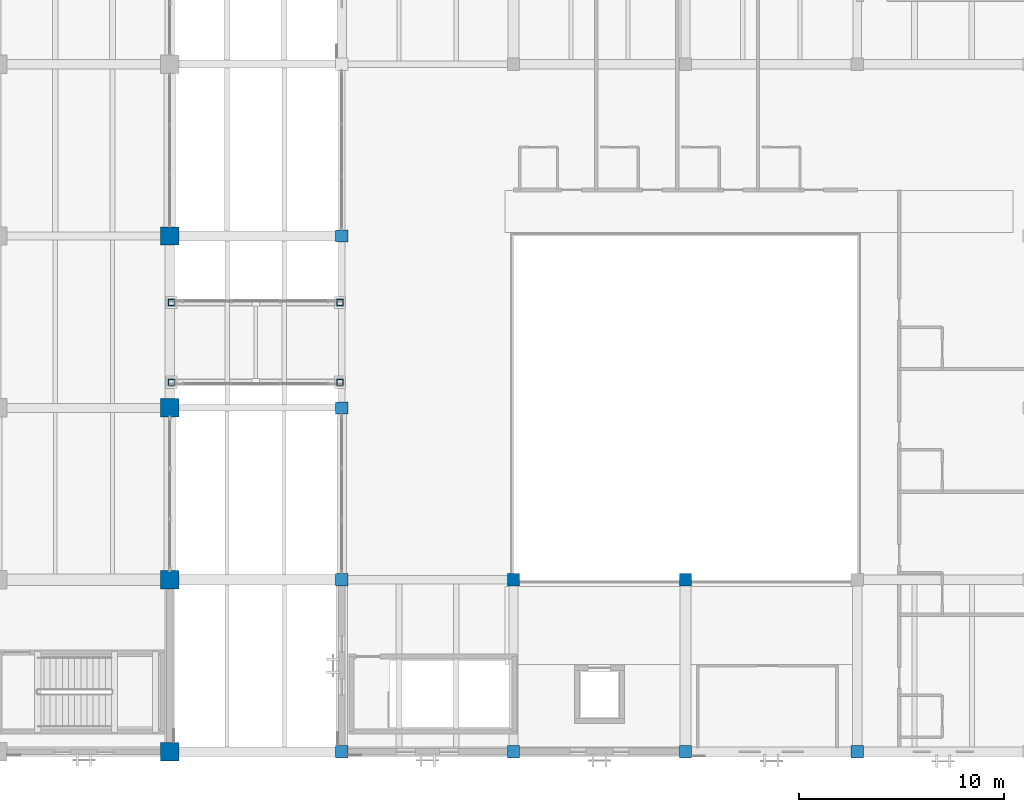
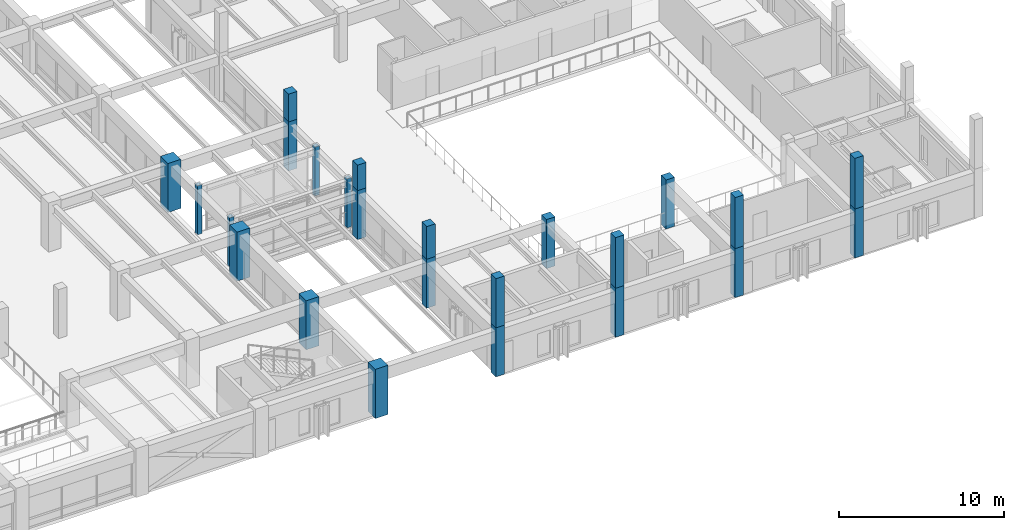
# One storey, part 3 of 118: 24 columns.
"""IFC4 building model written with IfcOpenShell, lengths in metres."""

from ifc_helpers import new_model, si_unit, direction, frame, origin, origin_2d, place, context, subcontext, project, spatial, rectangle, hollow_rectangle, extrude, material, material_profile, profile_set, type_object, element, save


model = new_model("IFC4")

# Units and contexts
model_context = context("Model", 3, precision=1e-05, world=origin(), true_north=direction((0.0, 1.0)))
body_context = subcontext(model_context, "Body", "Model", "MODEL_VIEW")
ifc_project = project(units=[si_unit("LENGTHUNIT", "METRE"), si_unit("AREAUNIT", "SQUARE_METRE"), si_unit("VOLUMEUNIT", "CUBIC_METRE"), si_unit("PLANEANGLEUNIT", "RADIAN"), si_unit("MASSUNIT", "GRAM", prefix="KILO")], contexts=[model_context])

# Site, building, storey
site_placement = place(None, origin())
site = spatial("IfcSite", under=ifc_project, at=site_placement, CompositionType="ELEMENT")
building_placement = place(site_placement, origin())
building = spatial("IfcBuilding", under=site, at=building_placement, Name="Cumbredor Promenade Congress Hotel", CompositionType="ELEMENT")
storey_placement = place(building_placement, frame((0.0, 0.0, 3.919921875)))
storey = spatial("IfcBuildingStorey", under=building, at=storey_placement, Name="L01", CompositionType="ELEMENT", Elevation=3.919921875)

# Columns
ifc_material_1 = material(Name="Concrete C40/50", Category="concrete")
ifc_material_profile_1 = material_profile(ifc_material_1, rectangle(XDim=0.60009765625, YDim=0.60009765625, at=origin_2d()), Name="RC 600x600")
ifc_profile_set_1 = profile_set([ifc_material_profile_1], Name="Concrete C40/50")
column_type_1 = type_object("IfcColumnType", Name="COL-RC-600", PredefinedType="COLUMN", material=ifc_profile_set_1)
for number, where, z_axis, x_axis, name in (
    (1, (75.60009765625, 8.39990234375, 0.0), (0.0, 0.0, 1.0), (1.0, 0.0, 0.0), "L01 Structural Column 091"),
    (2, (75.60009765625, 16.800048828125, 0.0), (0.0, 0.0, 1.0), (1.0, 0.0, 0.0), "L01 Structural Column 092"),
    (3, (75.60009765625, 25.199951171875, 0.0), (0.0, 0.0, 1.0), (1.0, 0.0, 0.0), "L01 Structural Column 093"),
    (4, (75.60009765625, 33.60009765625, 0.0), (0.0, 0.0, 1.0), (1.0, 0.0, 0.0), "L01 Structural Column 094"),
    (5, (84.0, 8.39990234375, 0.0), (0.0, 0.0, 1.0), (1.0, 0.0, 0.0), "L01 Structural Column 102"),
    (6, (84.0, 16.800048828125, 0.0), (0.0, 0.0, 1.0), (1.0, 0.0, 0.0), "L01 Structural Column 103"),
    (7, (92.39990234375, 8.39990234375, 0.0), (0.0, 0.0, 1.0), (1.0, 0.0, 0.0), "L01 Structural Column 111"),
    (8, (92.39990234375, 16.800048828125, 0.0), (0.0, 0.0, 1.0), (1.0, 0.0, 0.0), "L01 Structural Column 112"),
    (9, (100.800048828125, 8.39990234375, 0.0), (0.0, 0.0, 1.0), (1.0, 0.0, 0.0), "L01 Structural Column 120"),
):
    element("IfcColumn", number, at=place(storey_placement, frame(where, z_axis=z_axis, x_axis=x_axis)), inside=storey, type_object=column_type_1, Name=name, PredefinedType="COLUMN", context=body_context, shape_type="SweptSolid", body=[
        extrude(rectangle(XDim=0.60009765625, YDim=0.60009765625, at=origin_2d()), origin(), (0.0, 0.0, 1.0), 3.64013671875),
    ])
column_1_placement = place(storey_placement, frame((75.60009765625, 8.39990234375, 3.64013671875), z_axis=(0.0, 0.0, 1.0), x_axis=(1.0, 0.0, 0.0)))
element("IfcColumn", 10, at=column_1_placement, inside=storey, type_object=column_type_1, Name="Thermal Spa and Hydrotherapy Pavilion Clerestory Column Extension 01", PredefinedType="COLUMN", context=body_context, shape_type="SweptSolid", body=[
    extrude(rectangle(XDim=0.60009765625, YDim=0.60009765625, at=origin_2d()), origin(), (0.0, 0.0, 1.0), 3.650146484375),
])
column_2_placement = place(storey_placement, frame((75.60009765625, 16.800048828125, 3.64013671875), z_axis=(0.0, 0.0, 1.0), x_axis=(1.0, 0.0, 0.0)))
element("IfcColumn", 11, at=column_2_placement, inside=storey, type_object=column_type_1, Name="Thermal Spa and Hydrotherapy Pavilion Clerestory Column Extension 02", PredefinedType="COLUMN", context=body_context, shape_type="SweptSolid", body=[
    extrude(rectangle(XDim=0.60009765625, YDim=0.60009765625, at=origin_2d()), origin(), (0.0, 0.0, 1.0), 2.41943359375),
])
column_3_placement = place(storey_placement, frame((75.60009765625, 25.199951171875, 3.64013671875), z_axis=(0.0, 0.0, 1.0), x_axis=(1.0, 0.0, 0.0)))
element("IfcColumn", 12, at=column_3_placement, inside=storey, type_object=column_type_1, Name="Thermal Spa and Hydrotherapy Pavilion Clerestory Column Extension 03", PredefinedType="COLUMN", context=body_context, shape_type="SweptSolid", body=[
    extrude(rectangle(XDim=0.60009765625, YDim=0.60009765625, at=origin_2d()), origin(), (0.0, 0.0, 1.0), 1.891845703125),
])
column_4_placement = place(storey_placement, frame((75.60009765625, 33.60009765625, 3.64013671875), z_axis=(0.0, 0.0, 1.0), x_axis=(1.0, 0.0, 0.0)))
element("IfcColumn", 13, at=column_4_placement, inside=storey, type_object=column_type_1, Name="Thermal Spa and Hydrotherapy Pavilion Clerestory Column Extension 04", PredefinedType="COLUMN", context=body_context, shape_type="SweptSolid", body=[
    extrude(rectangle(XDim=0.60009765625, YDim=0.60009765625, at=origin_2d()), origin(), (0.0, 0.0, 1.0), 2.0673828125),
])
column_5_placement = place(storey_placement, frame((84.0, 8.39990234375, 3.64013671875), z_axis=(0.0, 0.0, 1.0), x_axis=(1.0, 0.0, 0.0)))
element("IfcColumn", 14, at=column_5_placement, inside=storey, type_object=column_type_1, Name="Thermal Spa and Hydrotherapy Pavilion Clerestory Column Extension 07", PredefinedType="COLUMN", context=body_context, shape_type="SweptSolid", body=[
    extrude(rectangle(XDim=0.60009765625, YDim=0.60009765625, at=origin_2d()), origin(), (0.0, 0.0, 1.0), 3.754150390625),
])
column_6_placement = place(storey_placement, frame((92.39990234375, 8.39990234375, 3.64013671875), z_axis=(0.0, 0.0, 1.0), x_axis=(1.0, 0.0, 0.0)))
element("IfcColumn", 15, at=column_6_placement, inside=storey, type_object=column_type_1, Name="Thermal Spa and Hydrotherapy Pavilion Clerestory Column Extension 09", PredefinedType="COLUMN", context=body_context, shape_type="SweptSolid", body=[
    extrude(rectangle(XDim=0.60009765625, YDim=0.60009765625, at=origin_2d()), origin(), (0.0, 0.0, 1.0), 3.788818359375),
])
column_7_placement = place(storey_placement, frame((100.800048828125, 8.39990234375, 3.64013671875), z_axis=(0.0, 0.0, 1.0), x_axis=(1.0, 0.0, 0.0)))
element("IfcColumn", 16, at=column_7_placement, inside=storey, type_object=column_type_1, Name="Thermal Spa and Hydrotherapy Pavilion Clerestory Column Extension 11", PredefinedType="COLUMN", context=body_context, shape_type="SweptSolid", body=[
    extrude(rectangle(XDim=0.60009765625, YDim=0.60009765625, at=origin_2d()), origin(), (0.0, 0.0, 1.0), 3.754150390625),
])
ifc_material_2 = material(Name="Concrete C50/60", Category="concrete")
ifc_material_profile_2 = material_profile(ifc_material_2, rectangle(XDim=0.89990234375, YDim=0.89990234375, at=origin_2d()), Name="RC 900x900")
ifc_profile_set_2 = profile_set([ifc_material_profile_2], Name="Concrete C50/60")
column_type_2 = type_object("IfcColumnType", Name="COL-RC-900", PredefinedType="COLUMN", material=ifc_profile_set_2)
for number, where, z_axis, x_axis, name in (
    (17, (67.199951171875, 8.39990234375, 0.0), (0.0, 0.0, 1.0), (1.0, 0.0, 0.0), "L01 Structural Column 078"),
    (18, (67.199951171875, 16.800048828125, 0.0), (0.0, 0.0, 1.0), (1.0, 0.0, 0.0), "L01 Structural Column 079"),
    (19, (67.199951171875, 25.199951171875, 0.0), (0.0, 0.0, 1.0), (1.0, 0.0, 0.0), "L01 Structural Column 080"),
    (20, (67.199951171875, 33.60009765625, 0.0), (0.0, 0.0, 1.0), (1.0, 0.0, 0.0), "L01 Structural Column 081"),
):
    element("IfcColumn", number, at=place(storey_placement, frame(where, z_axis=z_axis, x_axis=x_axis)), inside=storey, type_object=column_type_2, Name=name, PredefinedType="COLUMN", context=body_context, shape_type="SweptSolid", body=[
        extrude(rectangle(XDim=0.89990234375, YDim=0.89990234375, at=origin_2d()), origin(), (0.0, 0.0, 1.0), 3.64013671875),
    ])
ifc_material_3 = material(Name="Steel ASTM A500 Grade C", Category="steel")
ifc_material_profile_3 = material_profile(ifc_material_3, hollow_rectangle(XDim=0.300048828125, YDim=0.300048828125, WallThickness=0.01611328125, at=origin_2d()), Name="HSS 300x300x16")
ifc_profile_set_3 = profile_set([ifc_material_profile_3], Name="Steel ASTM A500 Grade C")
column_type_3 = type_object("IfcColumnType", Name="COL-STL-HSS300", PredefinedType="COLUMN", material=ifc_profile_set_3)
for number, where, z_axis, x_axis, name in (
    (21, (67.280029296875, 26.449951171875, 0.0), (0.0, 0.0, 1.0), (1.0, 0.0, 0.0), "L01 Central Plenary-to-Spa Pool Bridge Support Column 1"),
    (22, (67.280029296875, 30.35009765625, 0.0), (0.0, 0.0, 1.0), (1.0, 0.0, 0.0), "L01 Central Plenary-to-Spa Pool Bridge Support Column 2"),
    (23, (75.52001953125, 26.449951171875, 0.0), (0.0, 0.0, 1.0), (1.0, 0.0, 0.0), "L01 Central Plenary-to-Spa Pool Bridge Support Column 3"),
    (24, (75.52001953125, 30.35009765625, 0.0), (0.0, 0.0, 1.0), (1.0, 0.0, 0.0), "L01 Central Plenary-to-Spa Pool Bridge Support Column 4"),
):
    element("IfcColumn", number, at=place(storey_placement, frame(where, z_axis=z_axis, x_axis=x_axis)), inside=storey, type_object=column_type_3, Name=name, PredefinedType="COLUMN", context=body_context, shape_type="SweptSolid", body=[
        extrude(hollow_rectangle(XDim=0.300048828125, YDim=0.300048828125, WallThickness=0.01611328125, at=origin_2d()), origin(), (0.0, 0.0, 1.0), 3.64013671875),
    ])

save(model, "model.ifc")
